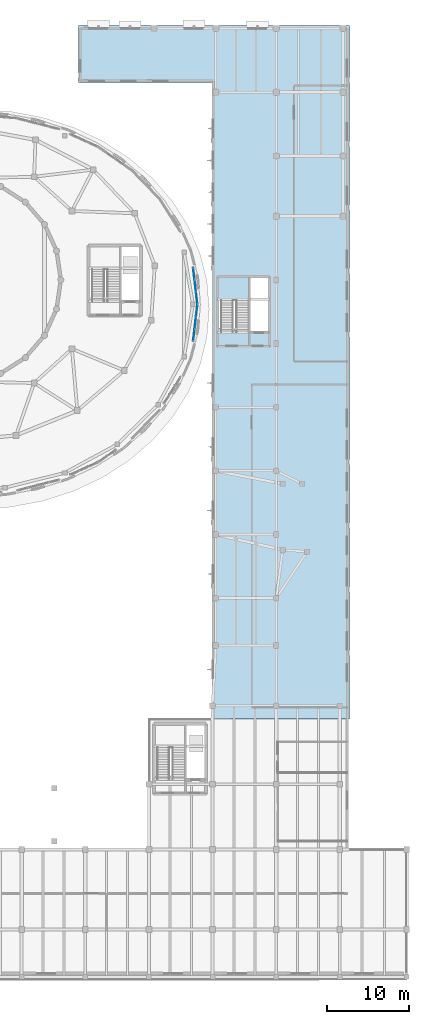
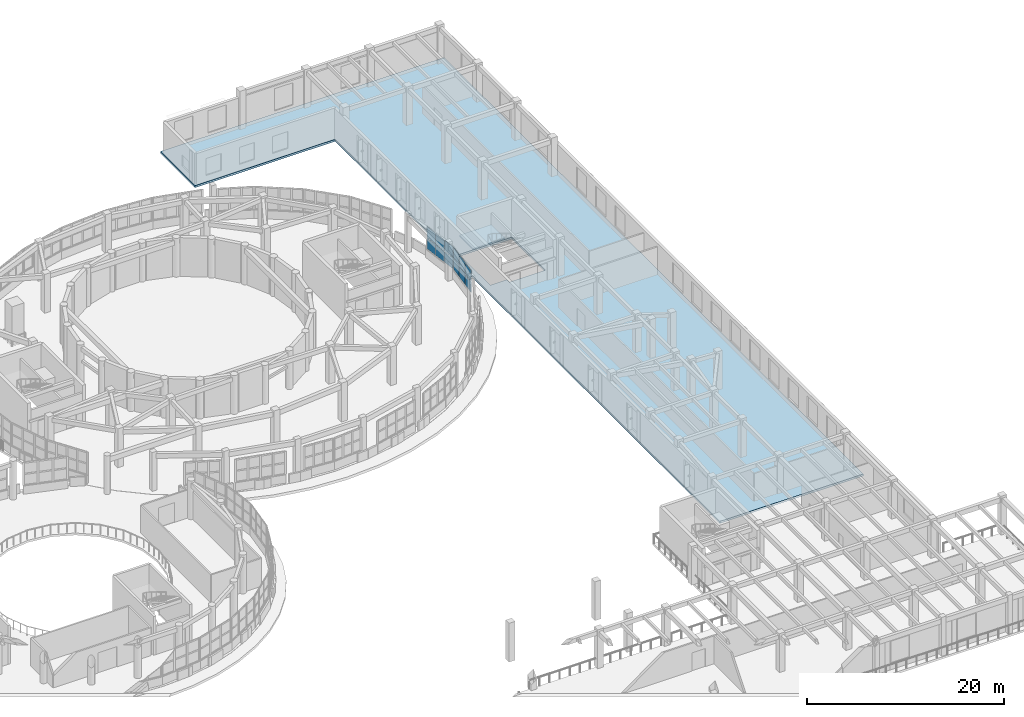
# One storey, part 67 of 98: 12 plates, 2 slabs, 3 elements without a shape of their own.
"""IFC4 building model written with IfcOpenShell, lengths in metres."""

from ifc_helpers import new_model, si_unit, direction, frame, origin, origin_2d, place, context, subcontext, project, spatial, polyline, rectangle, outline, extrude, material, layer, layer_set, type_object, element, aggregate, save


model = new_model("IFC4")

# Units and contexts
model_context = context("Model", 3, precision=1e-05, world=origin(), true_north=direction((0.0, 1.0)))
body_context = subcontext(model_context, "Body", "Model", "MODEL_VIEW")
ifc_project = project(units=[si_unit("LENGTHUNIT", "METRE"), si_unit("AREAUNIT", "SQUARE_METRE"), si_unit("VOLUMEUNIT", "CUBIC_METRE"), si_unit("PLANEANGLEUNIT", "RADIAN"), si_unit("MASSUNIT", "GRAM", prefix="KILO")], contexts=[model_context])

# Site, building, storey
site_placement = place(None, origin())
site = spatial("IfcSite", under=ifc_project, at=site_placement, CompositionType="ELEMENT")
building_placement = place(site_placement, origin())
building = spatial("IfcBuilding", under=site, at=building_placement, Name="Pelvatis Terrace Science Centre", CompositionType="ELEMENT")
storey_placement = place(building_placement, frame((0.0, 0.0, 5.39990234375)))
storey = spatial("IfcBuildingStorey", under=building, at=storey_placement, Name="L01", CompositionType="ELEMENT", Elevation=5.39990234375)

# Curtain wall, plates
ifc_material_1 = material(Name="Bronze-anodised aluminium and laminated glass", Category="aluminium")
ifc_layer_1 = layer(ifc_material_1, 0.199951171875)
ifc_layer_set_1 = layer_set([ifc_layer_1], Name="Bronze-anodised aluminium and laminated glass")
curtain_wall_type = type_object("IfcCurtainWallType", Name="CW-RIBBON-B", PredefinedType="NOTDEFINED", material=ifc_layer_set_1)
curtain_wall_1_placement = place(storey_placement, origin())
curtain_wall_1 = element("IfcCurtainWall", 1, at=curtain_wall_1_placement, inside=storey, type_object=curtain_wall_type, Name="Ribbon curtain wall CW-126 (L01)", PredefinedType="NOTDEFINED")
ifc_material_2 = material(Name="Low-e laminated solar-control double glazing", Category="glass")
ifc_layer_2 = layer(ifc_material_2, 0.031982421875)
ifc_layer_set_2 = layer_set([ifc_layer_2], Name="Low-e laminated solar-control double glazing")
plate_type = type_object("IfcPlateType", Name="CWP-IGU-32", PredefinedType="CURTAIN_PANEL", material=ifc_layer_set_2)
plate_1_placement = place(storey_placement, frame((138.460205078125, 83.572021484375, 1.0849609375), z_axis=(0.0, 0.0, 1.0), x_axis=(-0.115496838239, 0.993307847727, 0.0)))
plate_1 = element("IfcPlate", 2, at=plate_1_placement, type_object=plate_type, Name="CW-126 panel 1.1", PredefinedType="CURTAIN_PANEL", context=body_context, shape_type="SweptSolid", body=[
    extrude(rectangle(XDim=1.424560546875, YDim=0.031982421875, at=origin_2d()), origin(), (0.0, 0.0, 1.0), 1.322509765625),
])
plate_2_placement = place(storey_placement, frame((138.460205078125, 83.572021484375, 2.47265625), z_axis=(0.0, 0.0, 1.0), x_axis=(-0.115496838239, 0.993307847727, 0.0)))
plate_2 = element("IfcPlate", 3, at=plate_2_placement, type_object=plate_type, Name="CW-126 panel 1.2", PredefinedType="CURTAIN_PANEL", context=body_context, shape_type="SweptSolid", body=[
    extrude(rectangle(XDim=1.424560546875, YDim=0.031982421875, at=origin_2d()), origin(), (0.0, 0.0, 1.0), 1.322509765625),
])
plate_3_placement = place(storey_placement, frame((138.286376953125, 85.06787109375, 1.0849609375), z_axis=(0.0, 0.0, 1.0), x_axis=(-0.115496838239, 0.993307847727, 0.0)))
plate_3 = element("IfcPlate", 4, at=plate_3_placement, type_object=plate_type, Name="CW-126 panel 2.1", PredefinedType="CURTAIN_PANEL", context=body_context, shape_type="SweptSolid", body=[
    extrude(rectangle(XDim=1.45703125, YDim=0.031982421875, at=origin_2d()), origin(), (0.0, 0.0, 1.0), 1.322509765625),
])
plate_4_placement = place(storey_placement, frame((138.286376953125, 85.06787109375, 2.47265625), z_axis=(0.0, 0.0, 1.0), x_axis=(-0.115496838239, 0.993307847727, 0.0)))
plate_4 = element("IfcPlate", 5, at=plate_4_placement, type_object=plate_type, Name="CW-126 panel 2.2", PredefinedType="CURTAIN_PANEL", context=body_context, shape_type="SweptSolid", body=[
    extrude(rectangle(XDim=1.45703125, YDim=0.031982421875, at=origin_2d()), origin(), (0.0, 0.0, 1.0), 1.322509765625),
])
plate_5_placement = place(storey_placement, frame((138.1123046875, 86.563720703125, 1.0849609375), z_axis=(0.0, 0.0, 1.0), x_axis=(-0.115496838239, 0.993307847727, 0.0)))
plate_5 = element("IfcPlate", 6, at=plate_5_placement, type_object=plate_type, Name="CW-126 panel 3.1", PredefinedType="CURTAIN_PANEL", context=body_context, shape_type="SweptSolid", body=[
    extrude(rectangle(XDim=1.424560546875, YDim=0.031982421875, at=origin_2d()), origin(), (0.0, 0.0, 1.0), 1.322509765625),
])
plate_6_placement = place(storey_placement, frame((138.1123046875, 86.563720703125, 2.47265625), z_axis=(0.0, 0.0, 1.0), x_axis=(-0.115496838239, 0.993307847727, 0.0)))
plate_6 = element("IfcPlate", 7, at=plate_6_placement, type_object=plate_type, Name="CW-126 panel 3.2", PredefinedType="CURTAIN_PANEL", context=body_context, shape_type="SweptSolid", body=[
    extrude(rectangle(XDim=1.424560546875, YDim=0.031982421875, at=origin_2d()), origin(), (0.0, 0.0, 1.0), 1.322509765625),
])
aggregate(curtain_wall_1, [plate_1, plate_2, plate_3, plate_4, plate_5, plate_6])

curtain_wall_2_placement = place(storey_placement, origin())
curtain_wall_2 = element("IfcCurtainWall", 8, at=curtain_wall_2_placement, inside=storey, type_object=curtain_wall_type, Name="Ribbon curtain wall CW-153 (L01)", PredefinedType="NOTDEFINED")
plate_7_placement = place(storey_placement, frame((138.1123046875, 79.036376953125, 1.0849609375), z_axis=(0.0, 0.0, 1.0), x_axis=(0.115496838239, 0.993307847727, 0.0)))
plate_7 = element("IfcPlate", 9, at=plate_7_placement, type_object=plate_type, Name="CW-153 panel 1.1", PredefinedType="CURTAIN_PANEL", context=body_context, shape_type="SweptSolid", body=[
    extrude(rectangle(XDim=1.424560546875, YDim=0.031982421875, at=origin_2d()), origin(), (0.0, 0.0, 1.0), 1.322509765625),
])
plate_8_placement = place(storey_placement, frame((138.1123046875, 79.036376953125, 2.47265625), z_axis=(0.0, 0.0, 1.0), x_axis=(0.115496838239, 0.993307847727, 0.0)))
plate_8 = element("IfcPlate", 10, at=plate_8_placement, type_object=plate_type, Name="CW-153 panel 1.2", PredefinedType="CURTAIN_PANEL", context=body_context, shape_type="SweptSolid", body=[
    extrude(rectangle(XDim=1.424560546875, YDim=0.031982421875, at=origin_2d()), origin(), (0.0, 0.0, 1.0), 1.322509765625),
])
plate_9_placement = place(storey_placement, frame((138.286376953125, 80.531982421875, 1.0849609375), z_axis=(0.0, 0.0, 1.0), x_axis=(0.115496838239, 0.993307847727, 0.0)))
plate_9 = element("IfcPlate", 11, at=plate_9_placement, type_object=plate_type, Name="CW-153 panel 2.1", PredefinedType="CURTAIN_PANEL", context=body_context, shape_type="SweptSolid", body=[
    extrude(rectangle(XDim=1.45703125, YDim=0.031982421875, at=origin_2d()), origin(), (0.0, 0.0, 1.0), 1.322509765625),
])
plate_10_placement = place(storey_placement, frame((138.286376953125, 80.531982421875, 2.47265625), z_axis=(0.0, 0.0, 1.0), x_axis=(0.115496838239, 0.993307847727, 0.0)))
plate_10 = element("IfcPlate", 12, at=plate_10_placement, type_object=plate_type, Name="CW-153 panel 2.2", PredefinedType="CURTAIN_PANEL", context=body_context, shape_type="SweptSolid", body=[
    extrude(rectangle(XDim=1.45703125, YDim=0.031982421875, at=origin_2d()), origin(), (0.0, 0.0, 1.0), 1.322509765625),
])
plate_11_placement = place(storey_placement, frame((138.460205078125, 82.02783203125, 1.0849609375), z_axis=(0.0, 0.0, 1.0), x_axis=(0.115496838239, 0.993307847727, 0.0)))
plate_11 = element("IfcPlate", 13, at=plate_11_placement, type_object=plate_type, Name="CW-153 panel 3.1", PredefinedType="CURTAIN_PANEL", context=body_context, shape_type="SweptSolid", body=[
    extrude(rectangle(XDim=1.424560546875, YDim=0.031982421875, at=origin_2d()), origin(), (0.0, 0.0, 1.0), 1.322509765625),
])
plate_12_placement = place(storey_placement, frame((138.460205078125, 82.02783203125, 2.47265625), z_axis=(0.0, 0.0, 1.0), x_axis=(0.115496838239, 0.993307847727, 0.0)))
plate_12 = element("IfcPlate", 14, at=plate_12_placement, type_object=plate_type, Name="CW-153 panel 3.2", PredefinedType="CURTAIN_PANEL", context=body_context, shape_type="SweptSolid", body=[
    extrude(rectangle(XDim=1.424560546875, YDim=0.031982421875, at=origin_2d()), origin(), (0.0, 0.0, 1.0), 1.322509765625),
])
aggregate(curtain_wall_2, [plate_7, plate_8, plate_9, plate_10, plate_11, plate_12])

# Slab
ifc_material_3 = material(Name="Concrete C35/45", Category="concrete")
ifc_layer_3 = layer(ifc_material_3, 0.251953125)
ifc_layer_set_3 = layer_set([ifc_layer_3], Name="Concrete C35/45")
slab_type_1 = type_object("IfcSlabType", Name="SLB-FLR-252", PredefinedType="FLOOR", material=ifc_layer_set_3)
slab_1_placement = place(storey_placement, frame((0.0, 0.0, -0.251953125)))
element("IfcSlab", 15, at=slab_1_placement, inside=storey, type_object=slab_type_1, Name="L01 Upper street concourse and east laboratories slab", PredefinedType="FLOOR", context=body_context, shape_type="SweptSolid", body=[
    extrude(outline(polyline([(124.0, 110.0), (124.0, 117.0), (157.199951171875, 117.0), (157.199951171875, 32.0), (140.39990234375, 32.02001953125), (140.39990234375, 110.0), (124.0, 110.0)]), holes=[polyline([(143.080078125, 79.820068359375), (143.080078125, 79.320068359375), (147.280029296875, 79.320068359375), (147.280029296875, 86.080078125), (141.1201171875, 86.080078125), (141.1201171875, 79.820068359375), (143.080078125, 79.820068359375)])]), origin(), (0.0, 0.0, 1.0), 0.251953125),
])

# Stair, slab
ifc_material_4 = material(Name="Concrete C35/45", Category="concrete")
stair_type = type_object("IfcStairType", Name="STR-2RUN-1500-48", PredefinedType="TWO_STRAIGHT_RUN_STAIR", material=ifc_material_4)
stair_placement = place(storey_placement, origin())
stair = element("IfcStair", 16, at=stair_placement, inside=storey, type_object=stair_type, Name="Protected core stair ST-03-L01", PredefinedType="TWO_STRAIGHT_RUN_STAIR")
ifc_material_5 = material(Name="Concrete C35/45", Category="concrete")
ifc_layer_4 = layer(ifc_material_5, 0.199951171875)
ifc_layer_set_4 = layer_set([ifc_layer_4], Name="Concrete C35/45")
slab_type_2 = type_object("IfcSlabType", Name="SLB-LND-200", PredefinedType="LANDING", material=ifc_layer_set_4)
slab_2_placement = place(storey_placement, frame((0.0, 0.0, 2.2001953125)))
slab_2 = element("IfcSlab", 17, at=slab_2_placement, type_object=slab_type_2, Name="ST-03-L01 landing 1", PredefinedType="LANDING", context=body_context, shape_type="SweptSolid", body=[
    extrude(outline(polyline([(141.1298828125, 83.300048828125), (144.85009765625, 83.300048828125), (144.85009765625, 86.070068359375), (141.1298828125, 86.070068359375), (141.1298828125, 83.300048828125)])), origin(), (0.0, 0.0, 1.0), 0.199951171875),
])
aggregate(stair, [slab_2])

save(model, "model.ifc")
